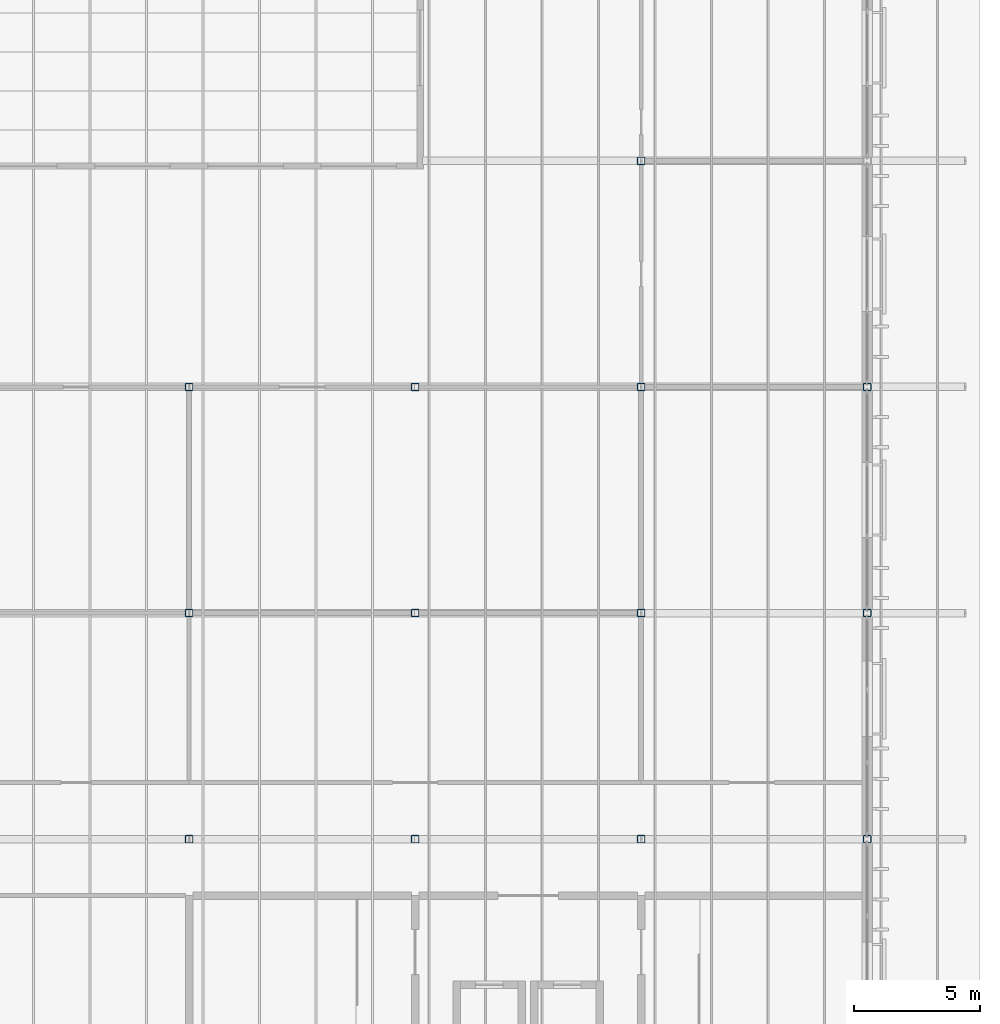
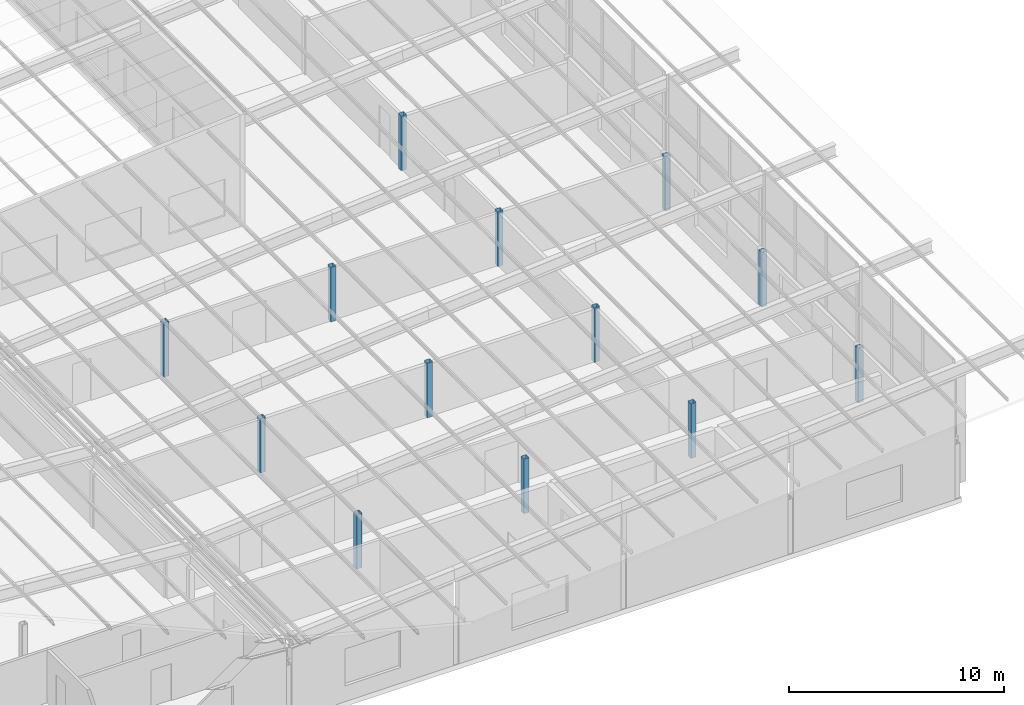
# One storey, part 13 of 85: 13 columns.
"""IFC4 building model written with IfcOpenShell, lengths in metres."""

from ifc_helpers import new_model, si_unit, direction, frame, origin, origin_2d, place, context, subcontext, project, spatial, hollow_rectangle, extrude, material, material_profile, profile_set, type_object, element, save


model = new_model("IFC4")

# Units and contexts
model_context = context("Model", 3, precision=1e-05, world=origin(), true_north=direction((0.0, 1.0)))
body_context = subcontext(model_context, "Body", "Model", "MODEL_VIEW")
ifc_project = project(units=[si_unit("LENGTHUNIT", "METRE"), si_unit("AREAUNIT", "SQUARE_METRE"), si_unit("VOLUMEUNIT", "CUBIC_METRE"), si_unit("PLANEANGLEUNIT", "RADIAN"), si_unit("MASSUNIT", "GRAM", prefix="KILO")], contexts=[model_context])

# Site, building, storey
site_placement = place(None, origin())
site = spatial("IfcSite", under=ifc_project, at=site_placement, CompositionType="ELEMENT")
building_placement = place(site_placement, origin())
building = spatial("IfcBuilding", under=site, at=building_placement, Name="Opaline Strait Convention Centre", CompositionType="ELEMENT")
storey_placement = place(building_placement, frame((0.0, 0.0, 17.0)))
storey = spatial("IfcBuildingStorey", under=building, at=storey_placement, Name="L03", CompositionType="ELEMENT", Elevation=17.0)

# Columns
ifc_material = material(Name="Steel Q355B", Category="steel")
ifc_material_profile = material_profile(ifc_material, hollow_rectangle(XDim=0.300048828125, YDim=0.300048828125, WallThickness=0.011962890625, InnerFilletRadius=0.02392578125, OuterFilletRadius=0.035888671875, at=origin_2d()), Name="RHS 300x300x12")
ifc_profile_set = profile_set([ifc_material_profile], Name="Steel Q355B")
column_type = type_object("IfcColumnType", Name="Roof post RHS 300x300x12", PredefinedType="COLUMN", material=ifc_profile_set)
for number, where, z_axis, x_axis, name in (
    (1, (333.0, 99.0, 0.0), (0.0, 0.0, 1.0), (1.0, 0.0, 0.0), "MRS1 roof post at 38/M"),
    (2, (333.0, 108.0, 0.0), (0.0, 0.0, 1.0), (1.0, 0.0, 0.0), "MRS1 roof post at 38/N"),
    (3, (333.0, 117.0, 0.0), (0.0, 0.0, 1.0), (1.0, 0.0, 0.0), "MRS1 roof post at 38/P"),
    (4, (342.0, 99.0, 0.0), (0.0, 0.0, 1.0), (1.0, 0.0, 0.0), "MRS1 roof post at 39/M"),
    (5, (342.0, 108.0, 0.0), (0.0, 0.0, 1.0), (1.0, 0.0, 0.0), "MRS1 roof post at 39/N"),
    (6, (342.0, 117.0, 0.0), (0.0, 0.0, 1.0), (1.0, 0.0, 0.0), "MRS1 roof post at 39/P"),
    (7, (351.0, 99.0, 0.0), (0.0, 0.0, 1.0), (1.0, 0.0, 0.0), "MRS1 roof post at 40/M"),
    (8, (351.0, 108.0, 0.0), (0.0, 0.0, 1.0), (1.0, 0.0, 0.0), "MRS1 roof post at 40/N"),
    (9, (351.0, 117.0, 0.0), (0.0, 0.0, 1.0), (1.0, 0.0, 0.0), "MRS1 roof post at 40/P"),
    (10, (351.0, 126.0, 0.0), (0.0, 0.0, 1.0), (1.0, 0.0, 0.0), "MRS1 roof post at 40/Q"),
    (11, (360.0, 99.0, 0.0), (0.0, 0.0, 1.0), (1.0, 0.0, 0.0), "MRS1 roof post at 41/M"),
    (12, (360.0, 108.0, 0.0), (0.0, 0.0, 1.0), (1.0, 0.0, 0.0), "MRS1 roof post at 41/N"),
    (13, (360.0, 117.0, 0.0), (0.0, 0.0, 1.0), (1.0, 0.0, 0.0), "MRS1 roof post at 41/P"),
):
    element("IfcColumn", number, at=place(storey_placement, frame(where, z_axis=z_axis, x_axis=x_axis)), inside=storey, type_object=column_type, Name=name, PredefinedType="COLUMN", context=body_context, shape_type="SweptSolid", body=[
        extrude(hollow_rectangle(XDim=0.300048828125, YDim=0.300048828125, WallThickness=0.011962890625, InnerFilletRadius=0.02392578125, OuterFilletRadius=0.035888671875, at=origin_2d()), origin(), (0.0, 0.0, 1.0), 3.10009765625),
    ])

save(model, "model.ifc")
